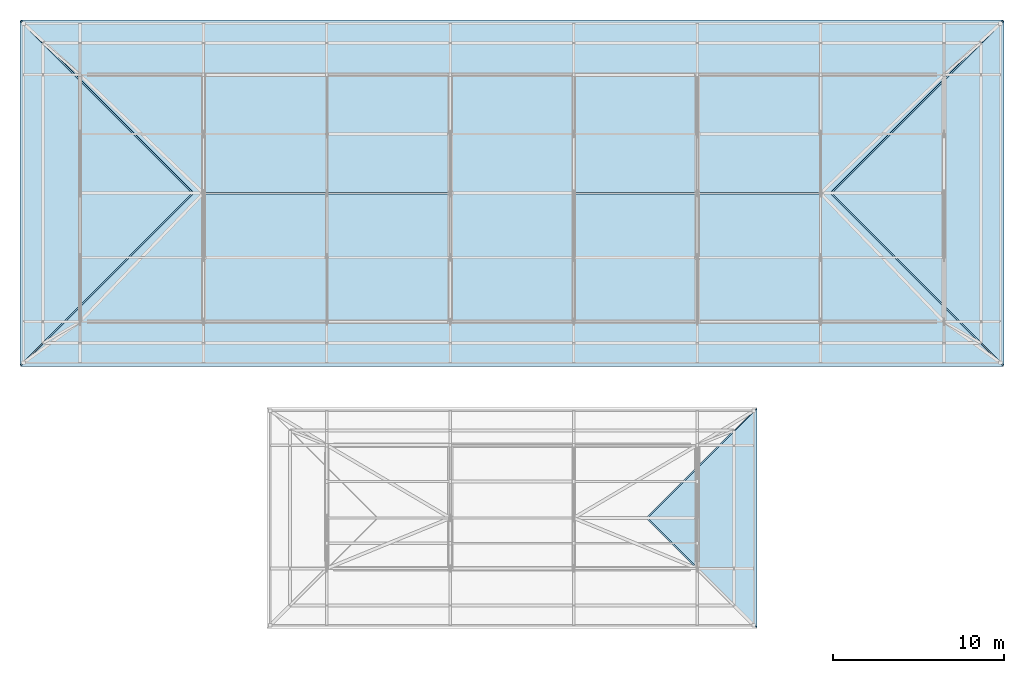
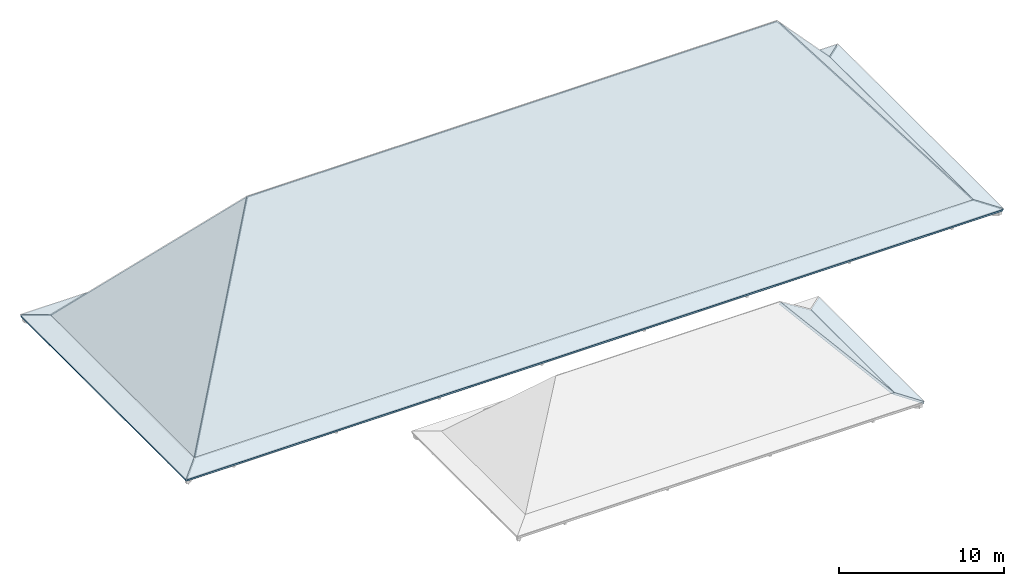
# One storey, part 8 of 12: 10 slabs, 2 elements without a shape of their own.
"""IFC4 building model written with IfcOpenShell, lengths in metres."""

from ifc_helpers import new_model, si_unit, direction, frame, origin, place, context, subcontext, project, spatial, polyline, outline, extrude, material, layer, layer_set, type_object, element, aggregate, save


model = new_model("IFC4")

# Units and contexts
model_context = context("Model", 3, precision=1e-05, world=origin(), true_north=direction((0.0, 1.0)))
body_context = subcontext(model_context, "Body", "Model", "MODEL_VIEW")
ifc_project = project(units=[si_unit("LENGTHUNIT", "METRE"), si_unit("AREAUNIT", "SQUARE_METRE"), si_unit("VOLUMEUNIT", "CUBIC_METRE"), si_unit("PLANEANGLEUNIT", "RADIAN"), si_unit("MASSUNIT", "GRAM", prefix="KILO")], contexts=[model_context])

# Site, building, storey
site_placement = place(None, origin())
site = spatial("IfcSite", under=ifc_project, at=site_placement, CompositionType="ELEMENT")
building_placement = place(site_placement, origin())
building = spatial("IfcBuilding", under=site, at=building_placement, Name="Steenspoor Specialist Clinic", CompositionType="ELEMENT")
storey_placement = place(building_placement, frame((0.0, 0.0, 25.800048828125)))
storey = spatial("IfcBuildingStorey", under=building, at=storey_placement, Name="RF", CompositionType="ELEMENT", Elevation=25.800048828125)

# Roof, slabs
ifc_material_1 = material(Name="Extruded terracotta clay roof tile", Category="masonry")
roof_type = type_object("IfcRoofType", Name="ROOF-HIP-TIER", PredefinedType="HIP_ROOF", material=ifc_material_1)
roof_1_placement = place(storey_placement, origin())
roof_1 = element("IfcRoof", 1, at=roof_1_placement, inside=storey, type_object=roof_type, Name="Tiered Hipped Roof V4", PredefinedType="HIP_ROOF")
ifc_material_2 = material(Name="Concrete C35/45", Category="concrete")
ifc_layer = layer(ifc_material_2, 0.14990234375)
ifc_layer_set = layer_set([ifc_layer], Name="Concrete C35/45")
slab_type = type_object("IfcSlabType", Name="SL-ROOF-150", PredefinedType="ROOF", material=ifc_layer_set)
slab_1_placement = place(storey_placement, frame((57.50048828125, 92.69091796875, 0.33447265625), z_axis=(0.0, -0.242036762378, 0.970267079549), x_axis=(-0.696421983868, -0.696295200328, -0.173693449463)))
slab_1 = element("IfcSlab", 2, at=slab_1_placement, type_object=slab_type, Name="Hipped Roof Slab RSLAB-V4-SKS", PredefinedType="ROOF", context=body_context, shape_type="SweptSolid", body=[
    extrude(outline(polyline([(0.0, 0.0), (1.9256492244505445, 6.938893903907228e-18), (-37.966272538966805, 41.106887252428756), (-38.02402822953802, 39.182104351467295), (0.0, 0.0)])), origin(), (0.0, 0.0, -1.0), 0.14990234375),
])
slab_2_placement = place(storey_placement, frame((112.099609375, 110.208984375, 0.33447265625), z_axis=(0.0, 0.241995280227, 0.970277426486), x_axis=(0.696360507135, 0.696360507135, -0.173678116653)))
slab_2 = element("IfcSlab", 3, at=slab_2_placement, type_object=slab_type, Name="Hipped Roof Slab RSLAB-V4-SKN", PredefinedType="ROOF", context=body_context, shape_type="SweptSolid", body=[
    extrude(outline(polyline([(0.0, 0.0), (1.9258192263683114, -5.551115123125783e-17), (-37.96258107298307, 41.11030434235685), (-38.02067165399254, 39.18536144007433), (0.0, 0.0)])), origin(), (0.0, 0.0, -1.0), 0.14990234375),
])
slab_3_placement = place(storey_placement, frame((57.44091796875, 110.149658203125, 0.33447265625), z_axis=(-0.242036762378, 0.0, 0.970267079549), x_axis=(-0.69635668215, 0.69635668215, -0.173708786334)))
slab_3 = element("IfcSlab", 4, at=slab_3_placement, type_object=slab_type, Name="Hipped Roof Slab RSLAB-V4-SKW", PredefinedType="ROOF", context=body_context, shape_type="SweptSolid", body=[
    extrude(outline(polyline([(0.0, 0.0), (1.9254792075231886, -6.245004513516506e-17), (-12.058097408740574, 14.41209014610466), (-12.116028238964033, 12.487312508418528), (0.0, 0.0)])), origin(), (0.0, 0.0, -1.0), 0.14990234375),
])
slab_4_placement = place(storey_placement, frame((112.158935546875, 92.75048828125, 0.33447265625), z_axis=(0.241995280227, 0.0, 0.970277426486), x_axis=(0.696360507135, -0.696360507135, -0.173678116653)))
slab_4 = element("IfcSlab", 5, at=slab_4_placement, type_object=slab_type, Name="Hipped Roof Slab RSLAB-V4-SKE", PredefinedType="ROOF", context=body_context, shape_type="SweptSolid", body=[
    extrude(outline(polyline([(0.0, 0.0), (1.9258192263683114, -5.551115123125783e-17), (-12.057834199633506, 14.412015619747066), (-12.116094790532406, 12.487247935278342), (0.0, 0.0)])), origin(), (0.0, 0.0, -1.0), 0.14990234375),
])
slab_5_placement = place(storey_placement, frame((112.08154296875, 92.708984375, 0.347900390625), z_axis=(0.0, -0.784343687833, 0.620326510281), x_axis=(-0.527140074166, 0.527140074166, 0.666518330143)))
slab_5 = element("IfcSlab", 6, at=slab_5_placement, type_object=slab_type, Name="Hipped Roof Slab RSLAB-V4-S", PredefinedType="ROOF", context=body_context, shape_type="SweptSolid", body=[
    extrude(outline(polyline([(0.0, 0.0), (16.502206976273694, 8.881784197001252e-16), (36.09351712036805, 31.582255182402527), (28.762466385601904, 46.36665676691249), (0.0, 0.0)])), origin(), (0.0, 0.0, -1.0), 0.14990234375),
])
slab_6_placement = place(storey_placement, frame((57.518310546875, 110.19091796875, 0.347900390625), z_axis=(0.0, 0.784343687833, 0.620326510281), x_axis=(0.527140074166, -0.527140074166, 0.666518330143)))
slab_6 = element("IfcSlab", 7, at=slab_6_placement, type_object=slab_type, Name="Hipped Roof Slab RSLAB-V4-N", PredefinedType="ROOF", context=body_context, shape_type="SweptSolid", body=[
    extrude(outline(polyline([(0.0, 0.0), (16.502206976273694, 8.881784197001252e-16), (36.09351712036805, 31.582255182402527), (28.762466385601904, 46.36665676691249), (0.0, 0.0)])), origin(), (0.0, 0.0, -1.0), 0.14990234375),
])
slab_7_placement = place(storey_placement, frame((66.140625, 101.449951171875, 11.324951171875), z_axis=(-0.784342162196, 0.0, 0.620328439298), x_axis=(-0.527141257896, 0.527141257896, -0.666516457748)))
slab_7 = element("IfcSlab", 8, at=slab_7_placement, type_object=slab_type, Name="Hipped Roof Slab RSLAB-V4-W", PredefinedType="ROOF", context=body_context, shape_type="SweptSolid", body=[
    extrude(outline(polyline([(0.0, 0.0), (16.46928692255503, 0.0), (7.31638500323411, 14.754928743368877), (0.0, 0.0)])), origin(), (0.0, 0.0, -1.0), 0.14990234375),
])
slab_8_placement = place(storey_placement, frame((103.45947265625, 101.449951171875, 11.324951171875), z_axis=(0.784342162196, 0.0, 0.620328439298), x_axis=(0.527141257896, -0.527141257896, -0.666516457748)))
slab_8 = element("IfcSlab", 9, at=slab_8_placement, type_object=slab_type, Name="Hipped Roof Slab RSLAB-V4-E", PredefinedType="ROOF", context=body_context, shape_type="SweptSolid", body=[
    extrude(outline(polyline([(0.0, 0.0), (16.46928692255503, 0.0), (7.31638500323411, 14.754928743368877), (0.0, 0.0)])), origin(), (0.0, 0.0, -1.0), 0.14990234375),
])
aggregate(roof_1, [slab_1, slab_2, slab_3, slab_4, slab_5, slab_6, slab_7, slab_8])

roof_2_placement = place(storey_placement, origin())
roof_2 = element("IfcRoof", 10, at=roof_2_placement, inside=storey, type_object=roof_type, Name="Tiered Hipped Roof V4S", PredefinedType="HIP_ROOF")
slab_9_placement = place(storey_placement, frame((97.759033203125, 77.450439453125, 0.33447265625), z_axis=(0.241995280227, 0.0, 0.970277426486), x_axis=(0.696360507135, -0.696360507135, -0.173678116653)))
slab_9 = element("IfcSlab", 11, at=slab_9_placement, type_object=slab_type, Name="Hipped Roof Slab RSLAB-V4S-SKE", PredefinedType="ROOF", context=body_context, shape_type="SweptSolid", body=[
    extrude(outline(polyline([(0.0, 0.0), (1.9258192263683114, -5.551115123125783e-17), (-6.974538505456411, 9.17300298746533), (-7.0326290864658745, 7.248060085182817), (0.0, 0.0)])), origin(), (0.0, 0.0, -1.0), 0.14990234375),
])
slab_10_placement = place(storey_placement, frame((92.70947265625, 82.5, 5.736328125), z_axis=(0.731007921196, 0.0, 0.68236897581), x_axis=(0.563647367018, -0.563647367018, -0.603823890971)))
slab_10 = element("IfcSlab", 12, at=slab_10_placement, type_object=slab_type, Name="Hipped Roof Slab RSLAB-V4S-E", PredefinedType="ROOF", context=body_context, shape_type="SweptSolid", body=[
    extrude(outline(polyline([(0.0, 0.0), (8.926670175440808, 0.0), (3.2546933263816173, 8.312184536709433), (0.0, 0.0)])), origin(), (0.0, 0.0, -1.0), 0.14990234375),
])
aggregate(roof_2, [slab_9, slab_10])

save(model, "model.ifc")
